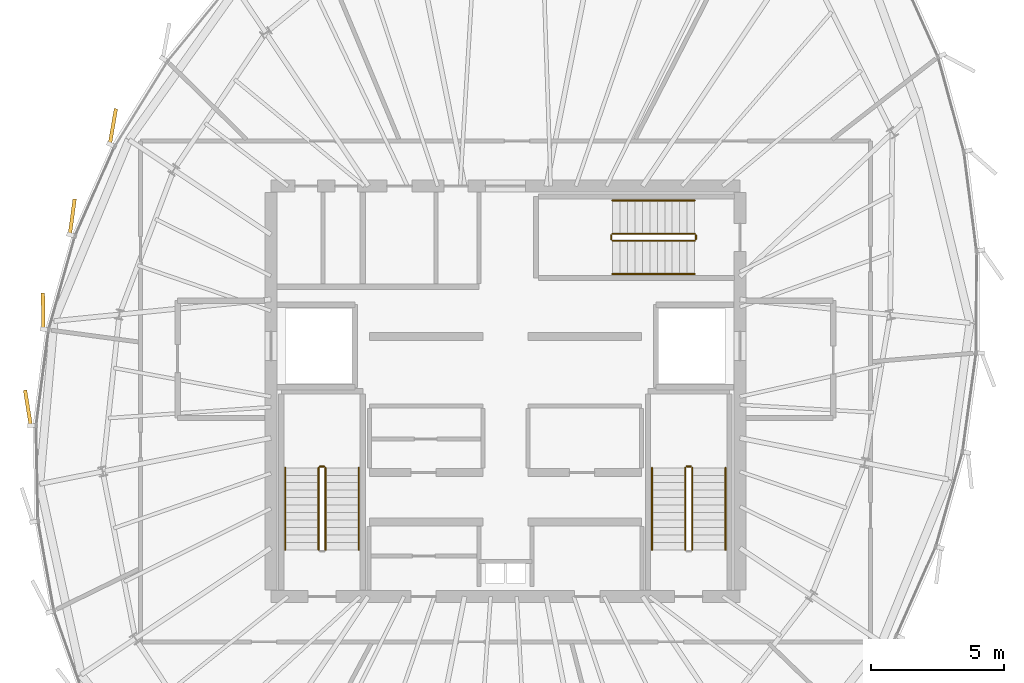
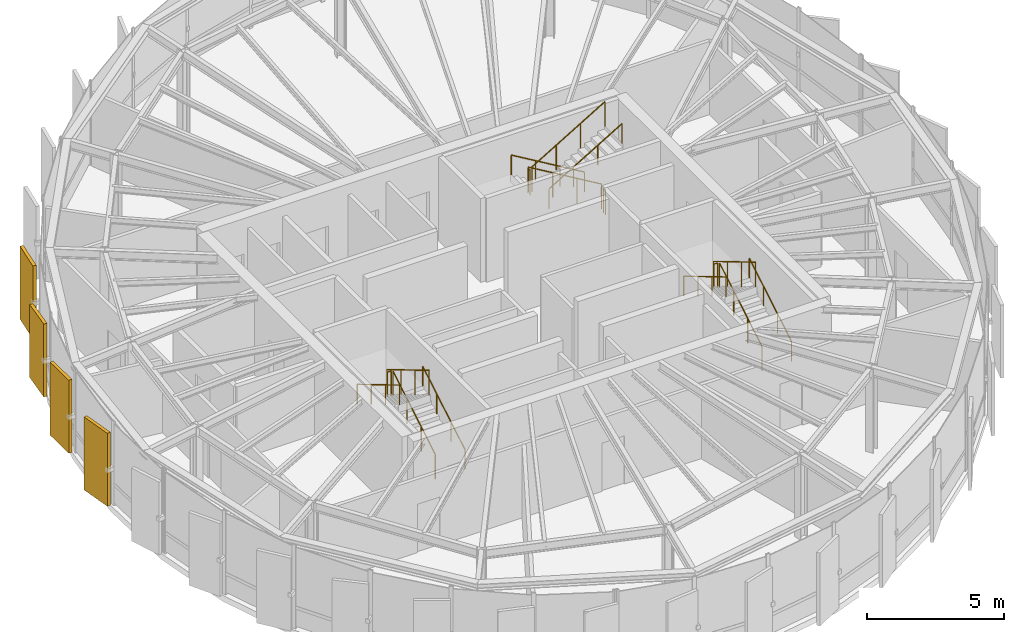
# One storey, part 25 of 26: 16 railings, 4 coverings.
"""IFC4 building model written with IfcOpenShell, lengths in metres."""

from ifc_helpers import new_model, si_unit, direction, frame, origin, origin_2d, place, context, subcontext, project, spatial, rectangle, circle, extrude, source, transform, mapped, material, layer, layer_set, type_object, element, save


model = new_model("IFC4")

# Units and contexts
model_context = context("Model", 3, precision=1e-05, world=origin(), true_north=direction((0.0, 1.0)))
body_context = subcontext(model_context, "Body", "Model", "MODEL_VIEW")
ifc_project = project(units=[si_unit("LENGTHUNIT", "METRE"), si_unit("AREAUNIT", "SQUARE_METRE"), si_unit("VOLUMEUNIT", "CUBIC_METRE"), si_unit("PLANEANGLEUNIT", "RADIAN"), si_unit("MASSUNIT", "GRAM", prefix="KILO"), si_unit("THERMODYNAMICTEMPERATUREUNIT", "KELVIN")], contexts=[model_context])

# Site, building, storey
site_placement = place(None, origin())
site = spatial("IfcSite", under=ifc_project, at=site_placement, CompositionType="ELEMENT")
building_placement = place(site_placement, origin())
building = spatial("IfcBuilding", under=site, at=building_placement, Name="Kethvar Cultural Tower", CompositionType="ELEMENT")
storey_placement = place(building_placement, frame((0.0, 0.0, 316.300048828125)))
storey = spatial("IfcBuildingStorey", under=building, at=storey_placement, Name="L84", CompositionType="ELEMENT", Elevation=316.300048828125)

# Railings
ifc_material_1 = material(Name="Steel S355J2", Category="steel")
railing_type_1 = type_object("IfcRailingType", Name="RL-STAIR-GUARD", PredefinedType="BALUSTRADE", material=ifc_material_1)
railing_1_placement = place(storey_placement, frame((40.050048828125, 21.85009765625, 0.16650390625)))
element("IfcRailing", 1, at=railing_1_placement, inside=storey, type_object=railing_type_1, Name="L84 ST-01 stair guard 1", PredefinedType="BALUSTRADE", context=body_context, shape_type="SweptSolid", body=[
    extrude(circle(Radius=0.02392578125, at=origin_2d()), frame((0.0, 0.0, 1.09619140625), z_axis=(0.0, 0.859260807169, 0.511537745687), x_axis=(-1.0, 0.0, 0.0)), (0.0, 0.0, 1.0), 3.584228515625),
    extrude(circle(Radius=0.02099609375, at=origin_2d()), origin(), (0.0, 0.0, 1.0), 1.072021484375),
    extrude(circle(Radius=0.02099609375, at=origin_2d()), frame((0.0, 1.026611328125, 0.611083984375)), (0.0, 0.0, 1.0), 1.072021484375),
    extrude(circle(Radius=0.02099609375, at=origin_2d()), frame((0.0, 2.05322265625, 1.222412109375)), (0.0, 0.0, 1.0), 1.072021484375),
    extrude(circle(Radius=0.02099609375, at=origin_2d()), frame((0.0, 3.079833984375, 1.83349609375)), (0.0, 0.0, 1.0), 1.072021484375),
])
railing_2_placement = place(storey_placement, frame((40.0, 24.97998046875, 2.0)))
element("IfcRailing", 2, at=railing_2_placement, inside=storey, type_object=railing_type_1, Name="L84 ST-01 stair guard 2", PredefinedType="BALUSTRADE", context=body_context, shape_type="SweptSolid", body=[
    extrude(circle(Radius=0.02392578125, at=origin_2d()), frame((0.0, 0.0, 1.09619140625), z_axis=(-1.0, 0.0, 0.0), x_axis=(0.0, -1.0, 0.0)), (0.0, 0.0, 1.0), 0.159912109375),
    extrude(circle(Radius=0.02099609375, at=origin_2d()), origin(), (0.0, 0.0, 1.0), 1.072021484375),
    extrude(circle(Radius=0.02099609375, at=origin_2d()), frame((-0.159912109375, 0.0, 0.0)), (0.0, 0.0, 1.0), 1.072021484375),
])
railing_3_placement = place(storey_placement, frame((39.7900390625, 24.929931640625, 2.16650390625)))
element("IfcRailing", 3, at=railing_3_placement, inside=storey, type_object=railing_type_1, Name="L84 ST-01 stair guard 3", PredefinedType="BALUSTRADE", context=body_context, shape_type="SweptSolid", body=[
    extrude(circle(Radius=0.02392578125, at=origin_2d()), frame((0.0, 0.0, 1.09619140625), z_axis=(0.0, -0.859260807169, 0.511537745687), x_axis=(1.0, 0.0, 0.0)), (0.0, 0.0, 1.0), 3.584228515625),
    extrude(circle(Radius=0.02099609375, at=origin_2d()), origin(), (0.0, 0.0, 1.0), 1.072021484375),
    extrude(circle(Radius=0.02099609375, at=origin_2d()), frame((0.0, -1.026611328125, 0.611083984375)), (0.0, 0.0, 1.0), 1.072021484375),
    extrude(circle(Radius=0.02099609375, at=origin_2d()), frame((0.0, -2.05322265625, 1.222412109375)), (0.0, 0.0, 1.0), 1.072021484375),
    extrude(circle(Radius=0.02099609375, at=origin_2d()), frame((0.0, -3.079833984375, 1.83349609375)), (0.0, 0.0, 1.0), 1.072021484375),
])
railing_4_placement = place(storey_placement, frame((53.81005859375, 21.85009765625, 0.16650390625)))
element("IfcRailing", 4, at=railing_4_placement, inside=storey, type_object=railing_type_1, Name="L84 ST-02 stair guard 1", PredefinedType="BALUSTRADE", context=body_context, shape_type="SweptSolid", body=[
    extrude(circle(Radius=0.02392578125, at=origin_2d()), frame((0.0, 0.0, 1.09619140625), z_axis=(0.0, 0.859260807169, 0.511537745687), x_axis=(-1.0, 0.0, 0.0)), (0.0, 0.0, 1.0), 3.584228515625),
    extrude(circle(Radius=0.02099609375, at=origin_2d()), origin(), (0.0, 0.0, 1.0), 1.072021484375),
    extrude(circle(Radius=0.02099609375, at=origin_2d()), frame((0.0, 1.026611328125, 0.611083984375)), (0.0, 0.0, 1.0), 1.072021484375),
    extrude(circle(Radius=0.02099609375, at=origin_2d()), frame((0.0, 2.05322265625, 1.222412109375)), (0.0, 0.0, 1.0), 1.072021484375),
    extrude(circle(Radius=0.02099609375, at=origin_2d()), frame((0.0, 3.079833984375, 1.83349609375)), (0.0, 0.0, 1.0), 1.072021484375),
])
railing_5_placement = place(storey_placement, frame((53.760009765625, 24.97998046875, 2.0)))
element("IfcRailing", 5, at=railing_5_placement, inside=storey, type_object=railing_type_1, Name="L84 ST-02 stair guard 2", PredefinedType="BALUSTRADE", context=body_context, shape_type="SweptSolid", body=[
    extrude(circle(Radius=0.02392578125, at=origin_2d()), frame((0.0, 0.0, 1.09619140625), z_axis=(-1.0, 0.0, 0.0), x_axis=(0.0, -1.0, 0.0)), (0.0, 0.0, 1.0), 0.159912109375),
    extrude(circle(Radius=0.02099609375, at=origin_2d()), origin(), (0.0, 0.0, 1.0), 1.072021484375),
    extrude(circle(Radius=0.02099609375, at=origin_2d()), frame((-0.159912109375, 0.0, 0.0)), (0.0, 0.0, 1.0), 1.072021484375),
])
railing_6_placement = place(storey_placement, frame((53.550048828125, 24.929931640625, 2.16650390625)))
element("IfcRailing", 6, at=railing_6_placement, inside=storey, type_object=railing_type_1, Name="L84 ST-02 stair guard 3", PredefinedType="BALUSTRADE", context=body_context, shape_type="SweptSolid", body=[
    extrude(circle(Radius=0.02392578125, at=origin_2d()), frame((0.0, 0.0, 1.09619140625), z_axis=(0.0, -0.859260807169, 0.511537745687), x_axis=(1.0, 0.0, 0.0)), (0.0, 0.0, 1.0), 3.584228515625),
    extrude(circle(Radius=0.02099609375, at=origin_2d()), origin(), (0.0, 0.0, 1.0), 1.072021484375),
    extrude(circle(Radius=0.02099609375, at=origin_2d()), frame((0.0, -1.026611328125, 0.611083984375)), (0.0, 0.0, 1.0), 1.072021484375),
    extrude(circle(Radius=0.02099609375, at=origin_2d()), frame((0.0, -2.05322265625, 1.222412109375)), (0.0, 0.0, 1.0), 1.072021484375),
    extrude(circle(Radius=0.02099609375, at=origin_2d()), frame((0.0, -3.079833984375, 1.83349609375)), (0.0, 0.0, 1.0), 1.072021484375),
])
railing_7_placement = place(storey_placement, frame((53.89990234375, 33.7099609375, 0.16650390625)))
element("IfcRailing", 7, at=railing_7_placement, inside=storey, type_object=railing_type_1, Name="L84 ST-03 stair guard 1", PredefinedType="BALUSTRADE", context=body_context, shape_type="SweptSolid", body=[
    extrude(circle(Radius=0.02392578125, at=origin_2d()), frame((0.0, 0.0, 1.09619140625), z_axis=(-0.859260807169, 0.0, 0.511537745687), x_axis=(0.0, -1.0, 0.0)), (0.0, 0.0, 1.0), 3.584228515625),
    extrude(circle(Radius=0.02099609375, at=origin_2d()), origin(), (0.0, 0.0, 1.0), 1.072021484375),
    extrude(circle(Radius=0.02099609375, at=origin_2d()), frame((-1.026611328125, 0.0, 0.611083984375)), (0.0, 0.0, 1.0), 1.072021484375),
    extrude(circle(Radius=0.02099609375, at=origin_2d()), frame((-2.05322265625, 0.0, 1.222412109375)), (0.0, 0.0, 1.0), 1.072021484375),
    extrude(circle(Radius=0.02099609375, at=origin_2d()), frame((-3.079833984375, 0.0, 1.83349609375)), (0.0, 0.0, 1.0), 1.072021484375),
])
railing_8_placement = place(storey_placement, frame((50.77001953125, 33.659912109375, 2.0)))
element("IfcRailing", 8, at=railing_8_placement, inside=storey, type_object=railing_type_1, Name="L84 ST-03 stair guard 2", PredefinedType="BALUSTRADE", context=body_context, shape_type="SweptSolid", body=[
    extrude(circle(Radius=0.02392578125, at=origin_2d()), frame((0.0, 0.0, 1.09619140625), z_axis=(0.0, -1.0, 0.0), x_axis=(1.0, 0.0, 0.0)), (0.0, 0.0, 1.0), 0.159912109375),
    extrude(circle(Radius=0.02099609375, at=origin_2d()), origin(), (0.0, 0.0, 1.0), 1.072021484375),
    extrude(circle(Radius=0.02099609375, at=origin_2d()), frame((0.0, -0.159912109375, 0.0)), (0.0, 0.0, 1.0), 1.072021484375),
])
railing_9_placement = place(storey_placement, frame((50.820068359375, 33.449951171875, 2.16650390625)))
element("IfcRailing", 9, at=railing_9_placement, inside=storey, type_object=railing_type_1, Name="L84 ST-03 stair guard 3", PredefinedType="BALUSTRADE", context=body_context, shape_type="SweptSolid", body=[
    extrude(circle(Radius=0.02392578125, at=origin_2d()), frame((0.0, 0.0, 1.09619140625), z_axis=(0.859260807169, 0.0, 0.511537745687), x_axis=(0.0, 1.0, 0.0)), (0.0, 0.0, 1.0), 3.584228515625),
    extrude(circle(Radius=0.02099609375, at=origin_2d()), origin(), (0.0, 0.0, 1.0), 1.072021484375),
    extrude(circle(Radius=0.02099609375, at=origin_2d()), frame((1.026611328125, 0.0, 0.611083984375)), (0.0, 0.0, 1.0), 1.072021484375),
    extrude(circle(Radius=0.02099609375, at=origin_2d()), frame((2.05322265625, 0.0, 1.222412109375)), (0.0, 0.0, 1.0), 1.072021484375),
    extrude(circle(Radius=0.02099609375, at=origin_2d()), frame((3.079833984375, 0.0, 1.83349609375)), (0.0, 0.0, 1.0), 1.072021484375),
])
railing_10_placement = place(storey_placement, frame((53.949951171875, 33.659912109375, 0.0)))
element("IfcRailing", 10, at=railing_10_placement, inside=storey, type_object=railing_type_1, Name="L84 ST-03 stair guard 4", PredefinedType="BALUSTRADE", context=body_context, shape_type="SweptSolid", body=[
    extrude(circle(Radius=0.02392578125, at=origin_2d()), frame((0.0, 0.0, 1.09619140625), z_axis=(0.0, -1.0, 0.0), x_axis=(1.0, 0.0, 0.0)), (0.0, 0.0, 1.0), 0.159912109375),
    extrude(circle(Radius=0.02099609375, at=origin_2d()), origin(), (0.0, 0.0, 1.0), 1.072021484375),
    extrude(circle(Radius=0.02099609375, at=origin_2d()), frame((0.0, -0.159912109375, 0.0)), (0.0, 0.0, 1.0), 1.072021484375),
])
railing_type_2 = type_object("IfcRailingType", Name="RL-STAIR-HANDRAIL", PredefinedType="HANDRAIL", material=ifc_material_1)
railing_11_placement = place(storey_placement, frame((41.300048828125, 21.85009765625, 0.16650390625)))
element("IfcRailing", 11, at=railing_11_placement, inside=storey, type_object=railing_type_2, Name="L84 ST-01 stair handrail 1", PredefinedType="HANDRAIL", context=body_context, shape_type="SweptSolid", body=[
    extrude(circle(Radius=0.02392578125, at=origin_2d()), frame((0.0, 0.0, 0.8759765625), z_axis=(0.0, 0.859260807169, 0.511537745687), x_axis=(-1.0, 0.0, 0.0)), (0.0, 0.0, 1.0), 3.584228515625),
    extrude(circle(Radius=0.02099609375, at=origin_2d()), origin(), (0.0, 0.0, 1.0), 0.851806640625),
    extrude(circle(Radius=0.02099609375, at=origin_2d()), frame((0.0, 1.026611328125, 0.611083984375)), (0.0, 0.0, 1.0), 0.851806640625),
    extrude(circle(Radius=0.02099609375, at=origin_2d()), frame((0.0, 2.05322265625, 1.222412109375)), (0.0, 0.0, 1.0), 0.851806640625),
    extrude(circle(Radius=0.02099609375, at=origin_2d()), frame((0.0, 3.079833984375, 1.83349609375)), (0.0, 0.0, 1.0), 0.851806640625),
])
railing_12_placement = place(storey_placement, frame((38.5400390625, 24.929931640625, 2.16650390625)))
element("IfcRailing", 12, at=railing_12_placement, inside=storey, type_object=railing_type_2, Name="L84 ST-01 stair handrail 2", PredefinedType="HANDRAIL", context=body_context, shape_type="SweptSolid", body=[
    extrude(circle(Radius=0.02392578125, at=origin_2d()), frame((0.0, 0.0, 0.8759765625), z_axis=(0.0, -0.859260807169, 0.511537745687), x_axis=(1.0, 0.0, 0.0)), (0.0, 0.0, 1.0), 3.584228515625),
    extrude(circle(Radius=0.02099609375, at=origin_2d()), origin(), (0.0, 0.0, 1.0), 0.851806640625),
    extrude(circle(Radius=0.02099609375, at=origin_2d()), frame((0.0, -1.026611328125, 0.611083984375)), (0.0, 0.0, 1.0), 0.851806640625),
    extrude(circle(Radius=0.02099609375, at=origin_2d()), frame((0.0, -2.05322265625, 1.222412109375)), (0.0, 0.0, 1.0), 0.851806640625),
    extrude(circle(Radius=0.02099609375, at=origin_2d()), frame((0.0, -3.079833984375, 1.83349609375)), (0.0, 0.0, 1.0), 0.851806640625),
])
railing_13_placement = place(storey_placement, frame((55.06005859375, 21.85009765625, 0.16650390625)))
element("IfcRailing", 13, at=railing_13_placement, inside=storey, type_object=railing_type_2, Name="L84 ST-02 stair handrail 1", PredefinedType="HANDRAIL", context=body_context, shape_type="SweptSolid", body=[
    extrude(circle(Radius=0.02392578125, at=origin_2d()), frame((0.0, 0.0, 0.8759765625), z_axis=(0.0, 0.859260807169, 0.511537745687), x_axis=(-1.0, 0.0, 0.0)), (0.0, 0.0, 1.0), 3.584228515625),
    extrude(circle(Radius=0.02099609375, at=origin_2d()), origin(), (0.0, 0.0, 1.0), 0.851806640625),
    extrude(circle(Radius=0.02099609375, at=origin_2d()), frame((0.0, 1.026611328125, 0.611083984375)), (0.0, 0.0, 1.0), 0.851806640625),
    extrude(circle(Radius=0.02099609375, at=origin_2d()), frame((0.0, 2.05322265625, 1.222412109375)), (0.0, 0.0, 1.0), 0.851806640625),
    extrude(circle(Radius=0.02099609375, at=origin_2d()), frame((0.0, 3.079833984375, 1.83349609375)), (0.0, 0.0, 1.0), 0.851806640625),
])
railing_14_placement = place(storey_placement, frame((52.300048828125, 24.929931640625, 2.16650390625)))
element("IfcRailing", 14, at=railing_14_placement, inside=storey, type_object=railing_type_2, Name="L84 ST-02 stair handrail 2", PredefinedType="HANDRAIL", context=body_context, shape_type="SweptSolid", body=[
    extrude(circle(Radius=0.02392578125, at=origin_2d()), frame((0.0, 0.0, 0.8759765625), z_axis=(0.0, -0.859260807169, 0.511537745687), x_axis=(1.0, 0.0, 0.0)), (0.0, 0.0, 1.0), 3.584228515625),
    extrude(circle(Radius=0.02099609375, at=origin_2d()), origin(), (0.0, 0.0, 1.0), 0.851806640625),
    extrude(circle(Radius=0.02099609375, at=origin_2d()), frame((0.0, -1.026611328125, 0.611083984375)), (0.0, 0.0, 1.0), 0.851806640625),
    extrude(circle(Radius=0.02099609375, at=origin_2d()), frame((0.0, -2.05322265625, 1.222412109375)), (0.0, 0.0, 1.0), 0.851806640625),
    extrude(circle(Radius=0.02099609375, at=origin_2d()), frame((0.0, -3.079833984375, 1.83349609375)), (0.0, 0.0, 1.0), 0.851806640625),
])
railing_15_placement = place(storey_placement, frame((53.89990234375, 34.9599609375, 0.16650390625)))
element("IfcRailing", 15, at=railing_15_placement, inside=storey, type_object=railing_type_2, Name="L84 ST-03 stair handrail 1", PredefinedType="HANDRAIL", context=body_context, shape_type="SweptSolid", body=[
    extrude(circle(Radius=0.02392578125, at=origin_2d()), frame((0.0, 0.0, 0.8759765625), z_axis=(-0.859260807169, 0.0, 0.511537745687), x_axis=(0.0, -1.0, 0.0)), (0.0, 0.0, 1.0), 3.584228515625),
    extrude(circle(Radius=0.02099609375, at=origin_2d()), origin(), (0.0, 0.0, 1.0), 0.851806640625),
    extrude(circle(Radius=0.02099609375, at=origin_2d()), frame((-1.026611328125, 0.0, 0.611083984375)), (0.0, 0.0, 1.0), 0.851806640625),
    extrude(circle(Radius=0.02099609375, at=origin_2d()), frame((-2.05322265625, 0.0, 1.222412109375)), (0.0, 0.0, 1.0), 0.851806640625),
    extrude(circle(Radius=0.02099609375, at=origin_2d()), frame((-3.079833984375, 0.0, 1.83349609375)), (0.0, 0.0, 1.0), 0.851806640625),
])
railing_16_placement = place(storey_placement, frame((50.820068359375, 32.199951171875, 2.16650390625)))
element("IfcRailing", 16, at=railing_16_placement, inside=storey, type_object=railing_type_2, Name="L84 ST-03 stair handrail 2", PredefinedType="HANDRAIL", context=body_context, shape_type="SweptSolid", body=[
    extrude(circle(Radius=0.02392578125, at=origin_2d()), frame((0.0, 0.0, 0.8759765625), z_axis=(0.859260807169, 0.0, 0.511537745687), x_axis=(0.0, 1.0, 0.0)), (0.0, 0.0, 1.0), 3.584228515625),
    extrude(circle(Radius=0.02099609375, at=origin_2d()), origin(), (0.0, 0.0, 1.0), 0.851806640625),
    extrude(circle(Radius=0.02099609375, at=origin_2d()), frame((1.026611328125, 0.0, 0.611083984375)), (0.0, 0.0, 1.0), 0.851806640625),
    extrude(circle(Radius=0.02099609375, at=origin_2d()), frame((2.05322265625, 0.0, 1.222412109375)), (0.0, 0.0, 1.0), 0.851806640625),
    extrude(circle(Radius=0.02099609375, at=origin_2d()), frame((3.079833984375, 0.0, 1.83349609375)), (0.0, 0.0, 1.0), 0.851806640625),
])

# Coverings
ifc_material_2 = material(Name="Extruded Architectural Terracotta", Category="masonry")
ifc_layer = layer(ifc_material_2, 0.135009765625, Name="Extruded Architectural Terracotta", Category="masonry")
ifc_layer_set = layer_set([ifc_layer], Name="Extruded Architectural Terracotta (135 mm)")
covering_type = type_object("IfcCoveringType", Name="Terracotta Facade Fin FIN-03", PredefinedType="CLADDING", material=ifc_layer_set)
shared_shape = source(origin(), body_context, "Body", "SweptSolid", [
    extrude(rectangle(XDim=1.35009765625, YDim=0.135009765625, at=origin_2d()), origin(), (0.0, 0.0, 1.0), 3.25),
])
for number, where, z_axis, x_axis, name in (
    (17, (32.069580078125, 37.74072265625, 0.02001953125), (0.0, 0.0, 1.0), (0.169349503849, 0.985556059058, 0.0), "L84 Vertical Terracotta Fin 2.3"),
    (18, (30.543701171875, 34.347900390625, 0.02001953125), (0.0, 0.0, 1.0), (0.133813224182, 0.991006569622, 0.0), "L84 Vertical Terracotta Fin 2.4"),
    (19, (29.450439453125, 30.807373046875, 0.02001953125), (0.0, 0.0, 1.0), (-0.010297260602, 0.999946981807, 0.0), "L84 Vertical Terracotta Fin 2.5"),
    (20, (28.880615234375, 27.18115234375, 0.02001953125), (0.0, 0.0, 1.0), (-0.158502730052, 0.987358539015, 0.0), "L84 Vertical Terracotta Fin 2.6"),
):
    element("IfcCovering", number, at=place(storey_placement, frame(where, z_axis=z_axis, x_axis=x_axis)), inside=storey, type_object=covering_type, Name=name, PredefinedType="CLADDING", context=body_context, shape_type="MappedRepresentation", body=[
        mapped(shared_shape, transform((0.0, 0.0, 0.0), scale=1.0)),
    ])

save(model, "model.ifc")
